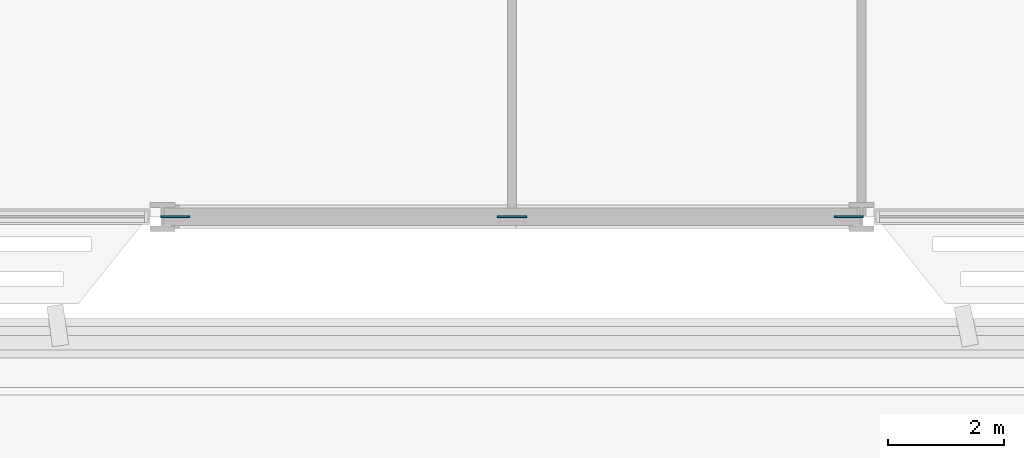
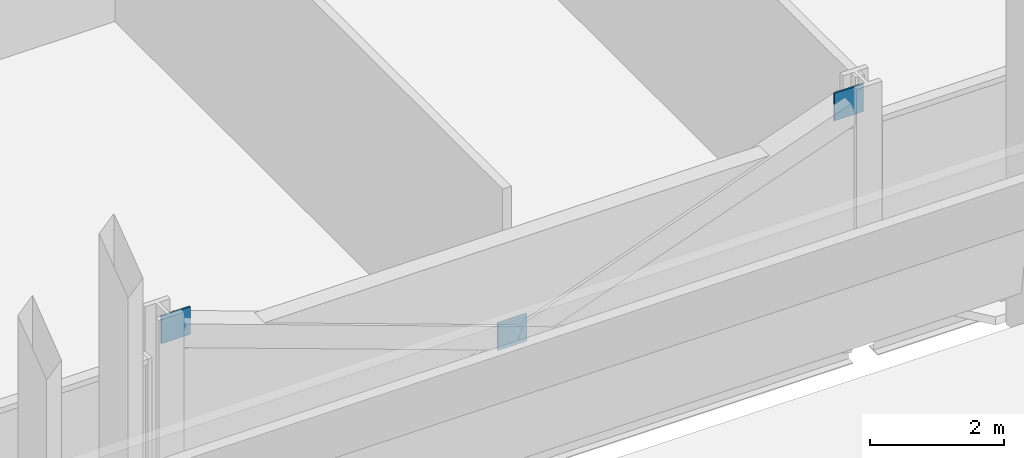
# One storey, part 18 of 31: 3 discrete accessories.
"""IFC4 building model written with IfcOpenShell, lengths in metres."""

import ifcopenshell
import ifcopenshell.guid

model = None  # the IFC model being written
_history = None  # IfcOwnerHistory: only IFC2X3 demands one
_inside = {}  # id of a spatial element -> (the spatial element, [elements in it])
_under = {}  # id of a project, library or spatial element -> (it, [spatial elements below it])
_declared = {}  # id of a project -> (the project, [libraries it declares])
_typed = {}  # id of a type object -> (the type object, [elements of that type])
_made_of = {}  # id of a material, layer set ... -> (it, [elements and type objects made of it])


def new_model(schema):
    """Start an empty IFC model of exactly this schema.

    Asked for "IFC4X3", IfcOpenShell would pick the latest addendum, in which some entities
    have other attributes; the version numbers below select the first issue.
    IFC2X3 requires an IfcOwnerHistory on every rooted entity: one is made here for all.
    """
    global model, _history
    if schema == "IFC4X3":
        model = ifcopenshell.file(schema_version=(4, 3, 0, 0))
    else:
        model = ifcopenshell.file(schema=schema)
    _inside.clear()
    _under.clear()
    _declared.clear()
    _typed.clear()
    _made_of.clear()
    _history = None
    if model.schema == "IFC2X3":
        org = make("IfcOrganization", Name="unknown")
        user = make(
            "IfcPersonAndOrganization",
            ThePerson=make("IfcPerson", FamilyName="unknown"),
            TheOrganization=org,
        )
        app = make(
            "IfcApplication",
            ApplicationDeveloper=org,
            Version="unknown",
            ApplicationFullName="unknown",
            ApplicationIdentifier="unknown",
        )
        _history = make(
            "IfcOwnerHistory",
            OwningUser=user,
            OwningApplication=app,
            ChangeAction="ADDED",
            CreationDate=0,
        )
    return model


def make(cls, **values):
    """One entity of the class cls with the attributes given. An attribute that is None is left unset."""
    return model.create_entity(
        cls, **{name: value for name, value in values.items() if value is not None}
    )


def rooted(cls, **values):
    """An entity with a GlobalId (a new one), such as an element, a storey or a relation."""
    return make(cls, GlobalId=ifcopenshell.guid.new(), OwnerHistory=_history, **values)


def si_unit(unit_type, name, prefix=None):
    """IfcSIUnit, for example si_unit("LENGTHUNIT", "METRE", prefix="MILLI")."""
    return make("IfcSIUnit", UnitType=unit_type, Prefix=prefix, Name=name)


def assignment(units):
    """IfcUnitAssignment: the units of a project."""
    return None if units is None else make("IfcUnitAssignment", Units=units)


def point(xyz):
    """IfcCartesianPoint."""
    return None if xyz is None else make("IfcCartesianPoint", Coordinates=xyz)


def direction(xyz):
    """IfcDirection."""
    return None if xyz is None else make("IfcDirection", DirectionRatios=xyz)


def frame(location, z_axis=None, x_axis=None):
    """IfcAxis2Placement3D, a coordinate frame: its origin and axes. An axis left out is left unset."""
    return make(
        "IfcAxis2Placement3D",
        Location=point(location),
        Axis=direction(z_axis),
        RefDirection=direction(x_axis),
    )


def frame_2d(location, x_axis=None):
    """IfcAxis2Placement2D, a coordinate frame in the plane: its origin and x axis."""
    return make(
        "IfcAxis2Placement2D", Location=point(location), RefDirection=direction(x_axis)
    )


def origin():
    """The frame at (0, 0, 0) with its axes left unset."""
    return frame((0.0, 0.0, 0.0))


def origin_2d():
    """The frame at (0, 0) in the plane with its x axis left unset."""
    return frame_2d((0.0, 0.0))


def place(relative_to, where):
    """IfcLocalPlacement: puts the frame where relative to a parent placement (None: the world)."""
    return make(
        "IfcLocalPlacement", PlacementRelTo=relative_to, RelativePlacement=where
    )


def context(
    kind, dimensions, precision=None, world=None, true_north=None, identifier=None
):
    """IfcGeometricRepresentationContext, for example the 3D "Model" context."""
    return make(
        "IfcGeometricRepresentationContext",
        ContextIdentifier=identifier,
        ContextType=kind,
        CoordinateSpaceDimension=dimensions,
        Precision=precision,
        WorldCoordinateSystem=world,
        TrueNorth=true_north,
    )


def subcontext(parent, identifier, kind, view, scale=None):
    """IfcGeometricRepresentationSubContext, for example "Body" below "Model"."""
    return make(
        "IfcGeometricRepresentationSubContext",
        ContextIdentifier=identifier,
        ContextType=kind,
        ParentContext=parent,
        TargetScale=scale,
        TargetView=view,
    )


def project(units=None, contexts=None):
    """IfcProject with its units and contexts."""
    return rooted(
        "IfcProject",
        Name="project",
        RepresentationContexts=contexts,
        UnitsInContext=assignment(units),
    )


def spatial(cls, under=None, at=None, **own):
    """A site, building, storey or space (cls), placed at a placement, below another one or the project."""
    s = rooted(cls, ObjectPlacement=at, **own)
    if under is not None:
        _under.setdefault(under.id(), (under, []))[1].append(s)
    return s


def profile(cls, at=None, kind="AREA", **sizes):
    """A parametric profile (cls). Its sizes go by their IFC names, for example OverallWidth=200.0."""
    return make(cls, ProfileType=kind, Position=at, **sizes)


def rectangle(**sizes):
    """IfcRectangleProfileDef."""
    return profile("IfcRectangleProfileDef", **sizes)


def extrude(swept, where, along, depth):
    """IfcExtrudedAreaSolid: the profile swept, set in the frame where, extruded along a direction by depth."""
    return make(
        "IfcExtrudedAreaSolid",
        SweptArea=swept,
        Position=where,
        ExtrudedDirection=direction(along),
        Depth=depth,
    )


def shape(context_of_items, identifier, shape_type, items):
    """IfcShapeRepresentation: the items that make up one representation, for example the "Body"."""
    return make(
        "IfcShapeRepresentation",
        ContextOfItems=context_of_items,
        RepresentationIdentifier=identifier,
        RepresentationType=shape_type,
        Items=items,
    )


def material(Name=None, Category=None):
    """IfcMaterial."""
    return make("IfcMaterial", Name=Name, Category=Category)


def layer(
    of_material, thickness, ventilated=None, Name=None, Category=None, Priority=None
):
    """IfcMaterialLayer: one layer of a wall or slab, of a material (None: an air gap)."""
    return make(
        "IfcMaterialLayer",
        Material=of_material,
        LayerThickness=thickness,
        IsVentilated=ventilated,
        Name=Name,
        Category=Category,
        Priority=Priority,
    )


def layer_set(layers, Name=None):
    """IfcMaterialLayerSet."""
    return make("IfcMaterialLayerSet", MaterialLayers=layers, LayerSetName=Name)


def made_of(thing, what):
    """Note that an element or type object is made of a material, layer set ...; save() writes the relation."""
    if what is not None:
        _made_of.setdefault(what.id(), (what, []))[1].append(thing)
    return thing


def type_object(cls, material=None, **own):
    """A type object (cls), such as IfcWallType, which elements share."""
    return made_of(rooted(cls, **own), material)


def element(
    cls,
    number,
    at=None,
    inside=None,
    cuts=None,
    type_object=None,
    material=None,
    context=None,
    identifier="Body",
    shape_type=None,
    held_by="IfcProductDefinitionShape",
    body=None,
    shapes=None,
    **own,
):
    """One element of the class cls, such as IfcWall. Its Tag is "e" and its number.

    at: its placement. inside: the storey or other place that contains it. cuts: it is an
    opening in that element (IfcRelVoidsElement). A single representation is given by context,
    identifier, shape_type and body (its items); several are given by shapes. held_by: the class
    of the entity that holds the representations. save() writes the other relations.
    """
    e = rooted(cls, Tag="e%d" % number, ObjectPlacement=at, **own)
    if body is not None:
        shapes = [shape(context, identifier, shape_type, body)]
    if shapes is not None:
        e.Representation = make(held_by, Representations=shapes)
    if inside is not None:
        _inside.setdefault(inside.id(), (inside, []))[1].append(e)
    if cuts is not None:
        rooted(
            "IfcRelVoidsElement", RelatingBuildingElement=cuts, RelatedOpeningElement=e
        )
    if type_object is not None:
        _typed.setdefault(type_object.id(), (type_object, []))[1].append(e)
    return made_of(e, material)


def aggregate(whole, parts):
    """IfcRelAggregates: a whole, such as a stair, and the parts it consists of."""
    return rooted("IfcRelAggregates", RelatingObject=whole, RelatedObjects=parts)


def save(model, path):
    """Write the relations noted so far, then the file.

    IfcRelAggregates (storeys below a building ...), IfcRelContainedInSpatialStructure (elements
    in a storey), IfcRelDefinesByType, IfcRelAssociatesMaterial and IfcRelDeclares: one each for
    every whole, place, type object, material and project.
    """
    for whole, parts in _under.values():
        aggregate(whole, parts)
    for where, things in _inside.values():
        rooted(
            "IfcRelContainedInSpatialStructure",
            RelatedElements=things,
            RelatingStructure=where,
        )
    for kind, things in _typed.values():
        rooted("IfcRelDefinesByType", RelatedObjects=things, RelatingType=kind)
    for what, things in _made_of.values():
        rooted("IfcRelAssociatesMaterial", RelatedObjects=things, RelatingMaterial=what)
    for by, libraries in _declared.values():
        rooted("IfcRelDeclares", RelatingContext=by, RelatedDefinitions=libraries)
    model.write(path)


model = new_model("IFC4")

# Units and contexts
model_context = context("Model", 3, precision=1e-05, world=origin(), true_north=direction((0.0, 1.0)))
body_context = subcontext(model_context, "Body", "Model", "MODEL_VIEW")
ifc_project = project(units=[si_unit("LENGTHUNIT", "METRE"), si_unit("AREAUNIT", "SQUARE_METRE"), si_unit("VOLUMEUNIT", "CUBIC_METRE"), si_unit("PLANEANGLEUNIT", "RADIAN"), si_unit("MASSUNIT", "GRAM", prefix="KILO")], contexts=[model_context])

# Site, building, storey
site_placement = place(None, origin())
site = spatial("IfcSite", under=ifc_project, at=site_placement, CompositionType="ELEMENT")
building_placement = place(site_placement, origin())
building = spatial("IfcBuilding", under=site, at=building_placement, Name="Mahtab Terrace Research Tower", CompositionType="ELEMENT")
storey_placement = place(building_placement, frame((0.0, 0.0, 11.5)))
storey = spatial("IfcBuildingStorey", under=building, at=storey_placement, Name="L02", CompositionType="ELEMENT", Elevation=11.5)

# Discrete accessories
ifc_material = material(Name="Steel ASTM A992 Gr 50", Category="steel")
ifc_layer = layer(ifc_material, 0.030029296875)
ifc_layer_set = layer_set([ifc_layer], Name="Gusset plate 500x500x30")
discrete_accessory_type = type_object("IfcDiscreteAccessoryType", Name="Gusset plate 500x500x30", PredefinedType="USERDEFINED", material=ifc_layer_set)
for number, where, z_axis, x_axis, name in (
    (1, (-5.7841796875, -23.0, 3.33154296875), (0.0, 0.0, 1.0), (1.0, 0.0, 0.0), "Gusset plate"),
    (2, (0.0, -23.0, 1.181640625), (0.0, 0.0, 1.0), (1.0, 0.0, 0.0), "Gusset plate"),
    (3, (5.7841796875, -23.0, 3.33154296875), (0.0, 0.0, 1.0), (1.0, 0.0, 0.0), "Gusset plate"),
):
    element("IfcDiscreteAccessory", number, at=place(storey_placement, frame(where, z_axis=z_axis, x_axis=x_axis)), inside=storey, type_object=discrete_accessory_type, Name=name, ObjectType="GUSSET PLATE", PredefinedType="USERDEFINED", context=body_context, shape_type="SweptSolid", body=[
        extrude(rectangle(XDim=0.5, YDim=0.030029296875, at=origin_2d()), origin(), (0.0, 0.0, 1.0), 0.5),
    ])

save(model, "model.ifc")
